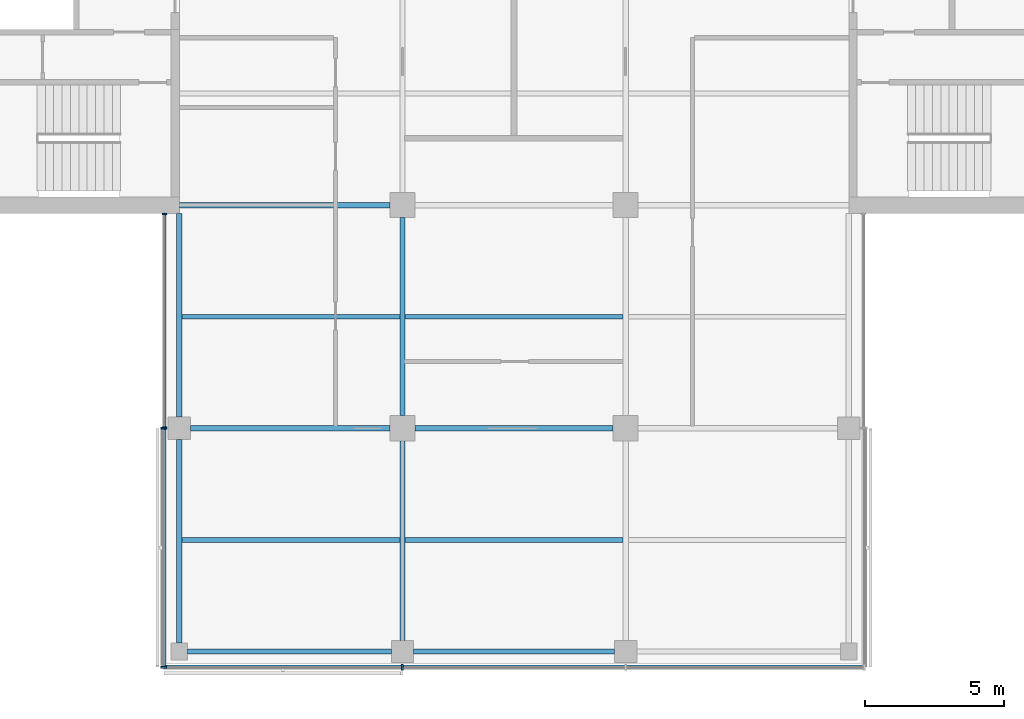
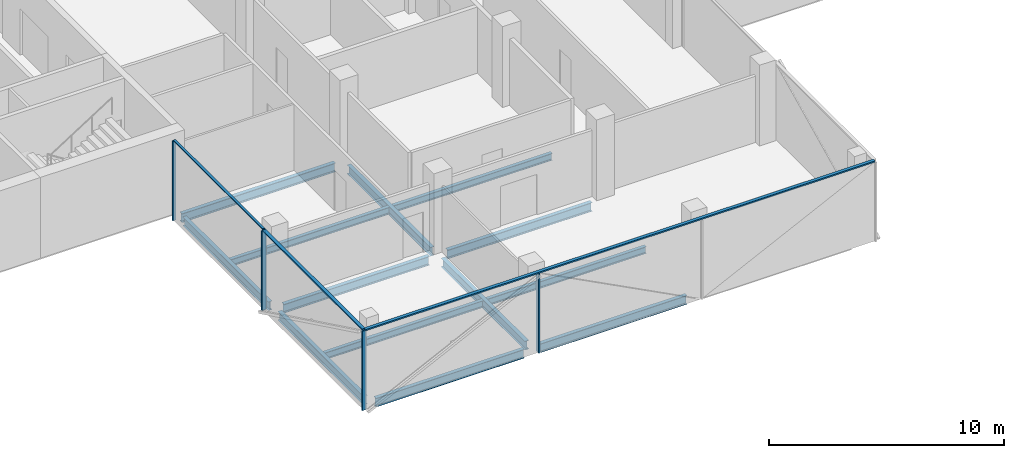
# One storey, part 2 of 15: 13 beams, 8 members, 3 elements without a shape of their own.
"""IFC4 building model written with IfcOpenShell, lengths in metres."""

from ifc_helpers import new_model, si_unit, direction, frame, origin, origin_2d, place, context, subcontext, project, spatial, rectangle, i_section, extrude, material, material_profile, profile_set, type_object, element, aggregate, save


model = new_model("IFC4")

# Units and contexts
model_context = context("Model", 3, precision=1e-05, world=origin(), true_north=direction((0.0, 1.0)))
body_context = subcontext(model_context, "Body", "Model", "MODEL_VIEW")
ifc_project = project(units=[si_unit("LENGTHUNIT", "METRE"), si_unit("AREAUNIT", "SQUARE_METRE"), si_unit("VOLUMEUNIT", "CUBIC_METRE"), si_unit("PLANEANGLEUNIT", "RADIAN"), si_unit("MASSUNIT", "GRAM", prefix="KILO")], contexts=[model_context])

# Site, building, storey
site_placement = place(None, origin())
site = spatial("IfcSite", under=ifc_project, at=site_placement, CompositionType="ELEMENT")
building_placement = place(site_placement, origin())
building = spatial("IfcBuilding", under=site, at=building_placement, Name="Crosswind Convention Tower", CompositionType="ELEMENT")
storey_placement = place(building_placement, frame((0.0, 0.0, 220.89990234375)))
storey = spatial("IfcBuildingStorey", under=building, at=storey_placement, Name="L47", CompositionType="ELEMENT", Elevation=220.89990234375)

# Beams
ifc_material_1 = material(Name="Steel S355", Category="steel")
ifc_material_profile_1 = material_profile(ifc_material_1, i_section(OverallWidth=0.18994140625, OverallDepth=0.45361328125, WebThickness=0.008544921875, FlangeThickness=0.0126953125, FilletRadius=0.01025390625, at=origin_2d()), Name="UB 457x191x67")
ifc_profile_set_1 = profile_set([ifc_material_profile_1], Name="Steel S355")
beam_type_1 = type_object("IfcBeamType", Name="Edge beam UB 457x191x67", PredefinedType="SPANDREL", material=ifc_profile_set_1)
for number, where, z_axis, x_axis, name in (
    (1, (113.0, 72.300048828125, -0.526611328125), (0.0, 1.0, 0.0), (-1.0, 0.0, 0.0), "B16 L47 edge beam 1"),
    (2, (113.0, 80.39990234375, -0.526611328125), (0.0, 1.0, 0.0), (-1.0, 0.0, 0.0), "B16 L47 edge beam 2"),
    (3, (113.300048828125, 72.0, -0.526611328125), (1.0, 0.0, 0.0), (0.0, 1.0, 0.0), "B16 L47 edge beam 5"),
):
    element("IfcBeam", number, at=place(storey_placement, frame(where, z_axis=z_axis, x_axis=x_axis)), inside=storey, type_object=beam_type_1, Name=name, PredefinedType="SPANDREL", context=body_context, shape_type="SweptSolid", body=[
        extrude(i_section(OverallWidth=0.18994140625, OverallDepth=0.45361328125, WebThickness=0.008544921875, FlangeThickness=0.0126953125, FilletRadius=0.01025390625, at=origin_2d()), origin(), (0.0, 0.0, 1.0), 7.300048828125),
    ])
beam_1_placement = place(storey_placement, frame((121.39990234375, 72.0, -0.526611328125), z_axis=(1.0, 0.0, 0.0), x_axis=(0.0, 1.0, 0.0)))
element("IfcBeam", 4, at=beam_1_placement, inside=storey, type_object=beam_type_1, Name="B16 L47 edge beam 7", PredefinedType="SPANDREL", context=body_context, shape_type="SweptSolid", body=[
    extrude(i_section(OverallWidth=0.18994140625, OverallDepth=0.45361328125, WebThickness=0.008544921875, FlangeThickness=0.0126953125, FilletRadius=0.01025390625, at=origin_2d()), origin(), (0.0, 0.0, 1.0), 7.2001953125),
])
ifc_material_profile_2 = material_profile(ifc_material_1, i_section(OverallWidth=0.1904296875, OverallDepth=0.457275390625, WebThickness=0.009033203125, FlangeThickness=0.014404296875, FilletRadius=0.01025390625, at=origin_2d()), Name="UB 457x191x75")
ifc_profile_set_2 = profile_set([ifc_material_profile_2], Name="Steel S355")
beam_type_2 = type_object("IfcBeamType", Name="Girder UB 457x191x75", PredefinedType="BEAM", material=ifc_profile_set_2)
for number, where, z_axis, x_axis, name in (
    (5, (113.39990234375, 80.0, -0.528564453125), (1.0, 0.0, 0.0), (0.0, 1.0, 0.0), "B2 L47 girder 1"),
    (6, (121.0, 72.39990234375, -0.528564453125), (0.0, 1.0, 0.0), (-1.0, 0.0, 0.0), "B2 L47 girder 3"),
):
    element("IfcBeam", number, at=place(storey_placement, frame(where, z_axis=z_axis, x_axis=x_axis)), inside=storey, type_object=beam_type_2, Name=name, PredefinedType="BEAM", context=body_context, shape_type="SweptSolid", body=[
        extrude(i_section(OverallWidth=0.1904296875, OverallDepth=0.457275390625, WebThickness=0.009033203125, FlangeThickness=0.014404296875, FilletRadius=0.01025390625, at=origin_2d()), origin(), (0.0, 0.0, 1.0), 7.150146484375),
    ])
for number, where, z_axis, x_axis, name in (
    (7, (121.0, 80.449951171875, -0.528564453125), (0.0, 1.0, 0.0), (-1.0, 0.0, 0.0), "B2 L47 girder 4"),
    (8, (121.449951171875, 80.0, -0.528564453125), (1.0, 0.0, 0.0), (0.0, 1.0, 0.0), "B2 L47 girder 10"),
):
    element("IfcBeam", number, at=place(storey_placement, frame(where, z_axis=z_axis, x_axis=x_axis)), inside=storey, type_object=beam_type_2, Name=name, PredefinedType="BEAM", context=body_context, shape_type="SweptSolid", body=[
        extrude(i_section(OverallWidth=0.1904296875, OverallDepth=0.457275390625, WebThickness=0.009033203125, FlangeThickness=0.014404296875, FilletRadius=0.01025390625, at=origin_2d()), origin(), (0.0, 0.0, 1.0), 7.10009765625),
    ])
ifc_material_profile_3 = material_profile(ifc_material_1, i_section(OverallWidth=0.19140625, OverallDepth=0.460205078125, WebThickness=0.010009765625, FlangeThickness=0.01611328125, FilletRadius=0.01025390625, at=origin_2d()), Name="UB 457x191x82")
ifc_profile_set_3 = profile_set([ifc_material_profile_3], Name="Steel S355")
beam_type_3 = type_object("IfcBeamType", Name="Girder at core wall UB 457x191x82", PredefinedType="BEAM", material=ifc_profile_set_3)
beam_2_placement = place(storey_placement, frame((113.0, 88.0, -0.530029296875), z_axis=(1.0, 0.0, 0.0), x_axis=(0.0, 1.0, 0.0)))
element("IfcBeam", 9, at=beam_2_placement, inside=storey, type_object=beam_type_3, Name="B23 L47 girder at core wall 1", PredefinedType="BEAM", context=body_context, shape_type="SweptSolid", body=[
    extrude(i_section(OverallWidth=0.19140625, OverallDepth=0.460205078125, WebThickness=0.010009765625, FlangeThickness=0.01611328125, FilletRadius=0.01025390625, at=origin_2d()), origin(), (0.0, 0.0, 1.0), 7.550048828125),
])

# Curtain wall, members
ifc_material_2 = material(Name="Aluminium unitised curtain wall", Category="aluminium")
curtain_wall_type_1 = type_object("IfcCurtainWallType", Name="CORE END SLOT WALL 160", PredefinedType="USERDEFINED", material=ifc_material_2)
curtain_wall_1_placement = place(storey_placement, origin())
curtain_wall_1 = element("IfcCurtainWall", 10, at=curtain_wall_1_placement, inside=storey, type_object=curtain_wall_type_1, Name="CW6 L47 S-W.1-1 slot", ObjectType="UNITISED", PredefinedType="USERDEFINED")
ifc_material_3 = material(Name="Aluminium mullion", Category="aluminium")
ifc_material_profile_4 = material_profile(ifc_material_3, rectangle(XDim=0.159912109375, YDim=0.050048828125, at=origin_2d()), Name="AL 160X50")
ifc_profile_set_4 = profile_set([ifc_material_profile_4], Name="Aluminium mullion")
member_type_1 = type_object("IfcMemberType", Name="MULLION 50X160", PredefinedType="MULLION", material=ifc_profile_set_4)
member_1_placement = place(storey_placement, frame((112.469970703125, 87.675048828125, -0.2998046875), z_axis=(0.0, 0.0, 1.0), x_axis=(-1.0, 0.0, 0.0)))
member_1 = element("IfcMember", 11, at=member_1_placement, type_object=member_type_1, Name="CW6 mullion 1", PredefinedType="MULLION", context=body_context, shape_type="SweptSolid", body=[
    extrude(rectangle(XDim=0.159912109375, YDim=0.050048828125, at=origin_2d()), origin(), (0.0, 0.0, 1.0), 4.14990234375),
])
member_2_placement = place(storey_placement, frame((112.469970703125, 80.02490234375, -0.2998046875), z_axis=(0.0, 0.0, 1.0), x_axis=(-1.0, 0.0, 0.0)))
member_2 = element("IfcMember", 12, at=member_2_placement, type_object=member_type_1, Name="CW6 mullion 2", PredefinedType="MULLION", context=body_context, shape_type="SweptSolid", body=[
    extrude(rectangle(XDim=0.159912109375, YDim=0.050048828125, at=origin_2d()), origin(), (0.0, 0.0, 1.0), 4.14990234375),
])

curtain_wall_type_2 = type_object("IfcCurtainWallType", Name="OFFICE UNITISED WALL 220", PredefinedType="USERDEFINED", material=ifc_material_2)
curtain_wall_2_placement = place(storey_placement, origin())
curtain_wall_2 = element("IfcCurtainWall", 13, at=curtain_wall_2_placement, inside=storey, type_object=curtain_wall_type_2, Name="CW3 L47 S-W 1", ObjectType="UNITISED", PredefinedType="USERDEFINED")
ifc_material_profile_5 = material_profile(ifc_material_3, rectangle(XDim=0.219970703125, YDim=0.070068359375, at=origin_2d()), Name="AL 220X70")
ifc_profile_set_5 = profile_set([ifc_material_profile_5], Name="Aluminium mullion")
member_type_2 = type_object("IfcMemberType", Name="MULLION 70X220", PredefinedType="MULLION", material=ifc_profile_set_5)
member_3_placement = place(storey_placement, frame((112.43994140625, 80.0, -0.2998046875), z_axis=(0.0, 0.0, 1.0), x_axis=(-1.0, 0.0, 0.0)))
member_3 = element("IfcMember", 14, at=member_3_placement, type_object=member_type_2, Name="CW3 mullion 1", PredefinedType="MULLION", context=body_context, shape_type="SweptSolid", body=[
    extrude(rectangle(XDim=0.219970703125, YDim=0.070068359375, at=origin_2d()), origin(), (0.0, 0.0, 1.0), 4.1298828125),
])
member_4_placement = place(storey_placement, frame((112.43994140625, 71.43994140625, -0.2998046875), z_axis=(0.0, 0.0, 1.0), x_axis=(-1.0, 0.0, 0.0)))
member_4 = element("IfcMember", 15, at=member_4_placement, type_object=member_type_2, Name="CW3 mullion 2", PredefinedType="MULLION", context=body_context, shape_type="SweptSolid", body=[
    extrude(rectangle(XDim=0.219970703125, YDim=0.070068359375, at=origin_2d()), origin(), (0.0, 0.0, 1.0), 4.1298828125),
])

# Curtain wall, member
curtain_wall_3_placement = place(storey_placement, origin())
curtain_wall_3 = element("IfcCurtainWall", 16, at=curtain_wall_3_placement, inside=storey, type_object=curtain_wall_type_2, Name="CW3 L47 S-TIP 1", ObjectType="UNITISED", PredefinedType="USERDEFINED")
member_5_placement = place(storey_placement, frame((121.0, 71.43994140625, -0.2998046875), z_axis=(0.0, 0.0, 1.0), x_axis=(0.0, -1.0, 0.0)))
member_5 = element("IfcMember", 17, at=member_5_placement, type_object=member_type_2, Name="CW3 mullion 2", PredefinedType="MULLION", context=body_context, shape_type="SweptSolid", body=[
    extrude(rectangle(XDim=0.219970703125, YDim=0.070068359375, at=origin_2d()), origin(), (0.0, 0.0, 1.0), 4.1298828125),
])

# Beams
ifc_material_profile_6 = material_profile(ifc_material_1, i_section(OverallWidth=0.172119140625, OverallDepth=0.358642578125, WebThickness=0.008056640625, FlangeThickness=0.012939453125, FilletRadius=0.01025390625, at=origin_2d()), Name="UB 356x171x57")
ifc_profile_set_6 = profile_set([ifc_material_profile_6], Name="Steel S355")
beam_type_4 = type_object("IfcBeamType", Name="Secondary beam UB 356x171x57", PredefinedType="JOIST", material=ifc_profile_set_6)
for number, where, z_axis, x_axis, name in (
    (18, (113.094970703125, 76.0, -0.479248046875), (1.0, 0.0, 0.0), (0.0, 1.0, 0.0), "B9 L47 secondary beam 4"),
    (19, (113.094970703125, 84.0, -0.479248046875), (1.0, 0.0, 0.0), (0.0, 1.0, 0.0), "B9 L47 secondary beam 5"),
):
    element("IfcBeam", number, at=place(storey_placement, frame(where, z_axis=z_axis, x_axis=x_axis)), inside=storey, type_object=beam_type_4, Name=name, PredefinedType="JOIST", context=body_context, shape_type="SweptSolid", body=[
        extrude(i_section(OverallWidth=0.172119140625, OverallDepth=0.358642578125, WebThickness=0.008056640625, FlangeThickness=0.012939453125, FilletRadius=0.01025390625, at=origin_2d()), origin(), (0.0, 0.0, 1.0), 7.809814453125),
    ])
for number, where, z_axis, x_axis, name in (
    (20, (121.09521484375, 76.0, -0.479248046875), (1.0, 0.0, 0.0), (0.0, 1.0, 0.0), "B9 L47 secondary beam 8"),
    (21, (121.09521484375, 84.0, -0.479248046875), (1.0, 0.0, 0.0), (0.0, 1.0, 0.0), "B9 L47 secondary beam 9"),
):
    element("IfcBeam", number, at=place(storey_placement, frame(where, z_axis=z_axis, x_axis=x_axis)), inside=storey, type_object=beam_type_4, Name=name, PredefinedType="JOIST", context=body_context, shape_type="SweptSolid", body=[
        extrude(i_section(OverallWidth=0.172119140625, OverallDepth=0.358642578125, WebThickness=0.008056640625, FlangeThickness=0.012939453125, FilletRadius=0.01025390625, at=origin_2d()), origin(), (0.0, 0.0, 1.0), 7.8095703125),
    ])

# Member
ifc_material_4 = material(Name="Aluminium transom", Category="aluminium")
ifc_material_profile_7 = material_profile(ifc_material_4, rectangle(XDim=0.1201171875, YDim=0.050048828125, at=origin_2d()), Name="AL 120X50")
ifc_profile_set_7 = profile_set([ifc_material_profile_7], Name="Aluminium transom")
member_type_3 = type_object("IfcMemberType", Name="TRANSOM 50X120", PredefinedType="USERDEFINED", material=ifc_profile_set_7)
member_6_placement = place(storey_placement, frame((112.469970703125, 87.64990234375, 3.875), z_axis=(0.0, -1.0, 0.0), x_axis=(1.0, 0.0, 0.0)))
member_6 = element("IfcMember", 22, at=member_6_placement, type_object=member_type_3, Name="CW6 transom", ObjectType="TRANSOM", PredefinedType="USERDEFINED", context=body_context, shape_type="SweptSolid", body=[
    extrude(rectangle(XDim=0.1201171875, YDim=0.050048828125, at=origin_2d()), origin(), (0.0, 0.0, 1.0), 7.599853515625),
])

aggregate(curtain_wall_1, [member_1, member_2, member_6])

ifc_material_profile_8 = material_profile(ifc_material_4, rectangle(XDim=0.159912109375, YDim=0.070068359375, at=origin_2d()), Name="AL 160X70")
ifc_profile_set_8 = profile_set([ifc_material_profile_8], Name="Aluminium transom")
member_type_4 = type_object("IfcMemberType", Name="TRANSOM 70X160", PredefinedType="USERDEFINED", material=ifc_profile_set_8)
member_7_placement = place(storey_placement, frame((112.43994140625, 79.965087890625, 3.864990234375), z_axis=(0.0, -1.0, 0.0), x_axis=(1.0, 0.0, 0.0)))
member_7 = element("IfcMember", 23, at=member_7_placement, type_object=member_type_4, Name="CW3 transom", ObjectType="TRANSOM", PredefinedType="USERDEFINED", context=body_context, shape_type="SweptSolid", body=[
    extrude(rectangle(XDim=0.159912109375, YDim=0.070068359375, at=origin_2d()), origin(), (0.0, 0.0, 1.0), 8.489990234375),
])

aggregate(curtain_wall_2, [member_3, member_4, member_7])

member_8_placement = place(storey_placement, frame((112.47509765625, 71.43994140625, 3.864990234375), z_axis=(1.0, 0.0, 0.0), x_axis=(0.0, 1.0, 0.0)))
member_8 = element("IfcMember", 24, at=member_8_placement, type_object=member_type_4, Name="CW3 transom", ObjectType="TRANSOM", PredefinedType="USERDEFINED", context=body_context, shape_type="SweptSolid", body=[
    extrude(rectangle(XDim=0.159912109375, YDim=0.070068359375, at=origin_2d()), origin(), (0.0, 0.0, 1.0), 25.0498046875),
])

aggregate(curtain_wall_3, [member_5, member_8])

save(model, "model.ifc")
